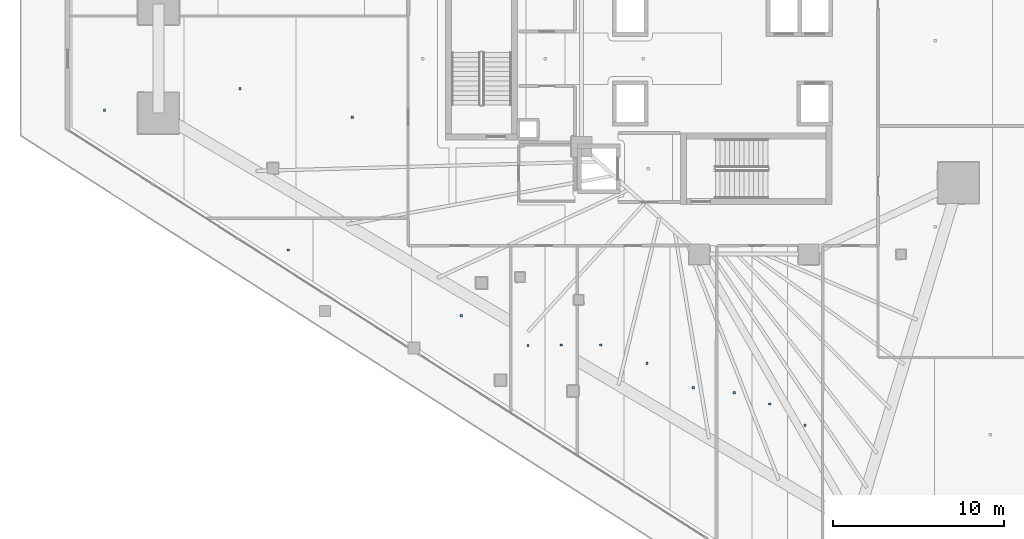
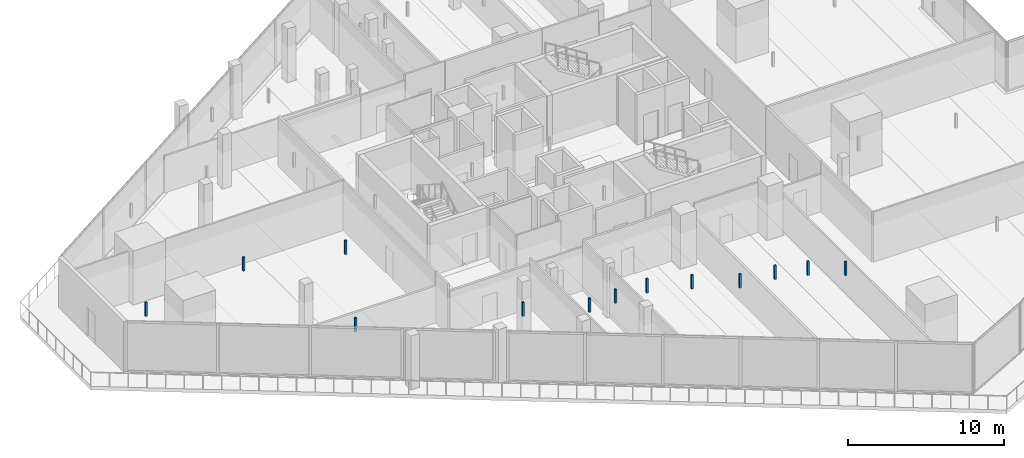
# One storey, part 32 of 44: 13 discrete accessories.
"""IFC4 building model written with IfcOpenShell, lengths in metres."""

from ifc_helpers import new_model, si_unit, direction, frame, origin, origin_2d, place, context, subcontext, project, spatial, rectangle, extrude, material, type_object, element, save


model = new_model("IFC4")

# Units and contexts
model_context = context("Model", 3, precision=1e-05, world=origin(), true_north=direction((0.0, 1.0)))
body_context = subcontext(model_context, "Body", "Model", "MODEL_VIEW")
ifc_project = project(units=[si_unit("LENGTHUNIT", "METRE"), si_unit("AREAUNIT", "SQUARE_METRE"), si_unit("VOLUMEUNIT", "CUBIC_METRE"), si_unit("PLANEANGLEUNIT", "RADIAN"), si_unit("MASSUNIT", "GRAM", prefix="KILO")], contexts=[model_context])

# Site, building, storey
site_placement = place(None, origin())
site = spatial("IfcSite", under=ifc_project, at=site_placement, CompositionType="ELEMENT")
building_placement = place(site_placement, origin())
building = spatial("IfcBuilding", under=site, at=building_placement, Name="Qorvath Tower", CompositionType="ELEMENT")
storey_placement = place(building_placement, frame((0.0, 0.0, 53.39990234375)))
storey = spatial("IfcBuildingStorey", under=building, at=storey_placement, Name="L11", CompositionType="ELEMENT", Elevation=53.39990234375)

# Discrete accessories
ifc_material = material(Name="Galvanised steel bracket", Category="steel")
discrete_accessory_type = type_object("IfcDiscreteAccessoryType", Name="DA-BRACKET", PredefinedType="BRACKET", material=ifc_material)
for number, where, z_axis, x_axis, name in (
    (1, (-33.64208984375, -16.795166015625, 2.85986328125), (0.0, 0.0, 1.0), (1.0, 0.0, 0.0), "Acoustic Ceiling Suspension Hanger T1-L11-024"),
    (2, (-31.700927734375, -16.767333984375, 2.85986328125), (0.0, 0.0, 1.0), (1.0, 0.0, 0.0), "Acoustic Ceiling Suspension Hanger T1-L11-025"),
    (3, (-29.38623046875, -16.767333984375, 2.85986328125), (0.0, 0.0, 1.0), (1.0, 0.0, 0.0), "Acoustic Ceiling Suspension Hanger T1-L11-026"),
    (4, (-26.669921875, -17.82568359375, 2.85986328125), (0.0, 0.0, 1.0), (1.0, 0.0, 0.0), "Acoustic Ceiling Suspension Hanger T1-L11-027"),
    (5, (-23.957763671875, -19.275146484375, 2.85986328125), (0.0, 0.0, 1.0), (1.0, 0.0, 0.0), "Acoustic Ceiling Suspension Hanger T1-L11-028"),
    (6, (-21.55517578125, -19.5634765625, 2.85986328125), (0.0, 0.0, 1.0), (1.0, 0.0, 0.0), "Acoustic Ceiling Suspension Hanger T1-L11-029"),
    (7, (-19.489013671875, -20.223388671875, 2.85986328125), (0.0, 0.0, 1.0), (1.0, 0.0, 0.0), "Acoustic Ceiling Suspension Hanger T1-L11-030"),
    (8, (-17.422607421875, -21.466796875, 2.85986328125), (0.0, 0.0, 1.0), (1.0, 0.0, 0.0), "Acoustic Ceiling Suspension Hanger T1-L11-031"),
    (9, (-47.684326171875, -11.2041015625, 2.85986328125), (0.0, 0.0, 1.0), (1.0, 0.0, 0.0), "Acoustic Ceiling Suspension Hanger T1-L11-041"),
    (10, (-37.556640625, -15.054443359375, 2.85986328125), (0.0, 0.0, 1.0), (1.0, 0.0, 0.0), "Acoustic Ceiling Suspension Hanger T1-L11-043"),
    (11, (-58.440673828125, -3.015380859375, 2.85986328125), (0.0, 0.0, 1.0), (1.0, 0.0, 0.0), "Acoustic Ceiling Suspension Hanger T1-L11-044"),
    (12, (-50.50439453125, -1.7724609375, 2.85986328125), (0.0, 0.0, 1.0), (1.0, 0.0, 0.0), "Acoustic Ceiling Suspension Hanger T1-L11-045"),
    (13, (-43.943603515625, -3.421142578125, 2.85986328125), (0.0, 0.0, 1.0), (1.0, 0.0, 0.0), "Acoustic Ceiling Suspension Hanger T1-L11-046"),
):
    element("IfcDiscreteAccessory", number, at=place(storey_placement, frame(where, z_axis=z_axis, x_axis=x_axis)), inside=storey, type_object=discrete_accessory_type, Name=name, PredefinedType="NOTDEFINED", context=body_context, shape_type="SweptSolid", body=[
        extrude(rectangle(XDim=0.139892578125, YDim=0.139892578125, at=origin_2d()), origin(), (0.0, 0.0, 1.0), 1.090087890625),
    ])

save(model, "model.ifc")
